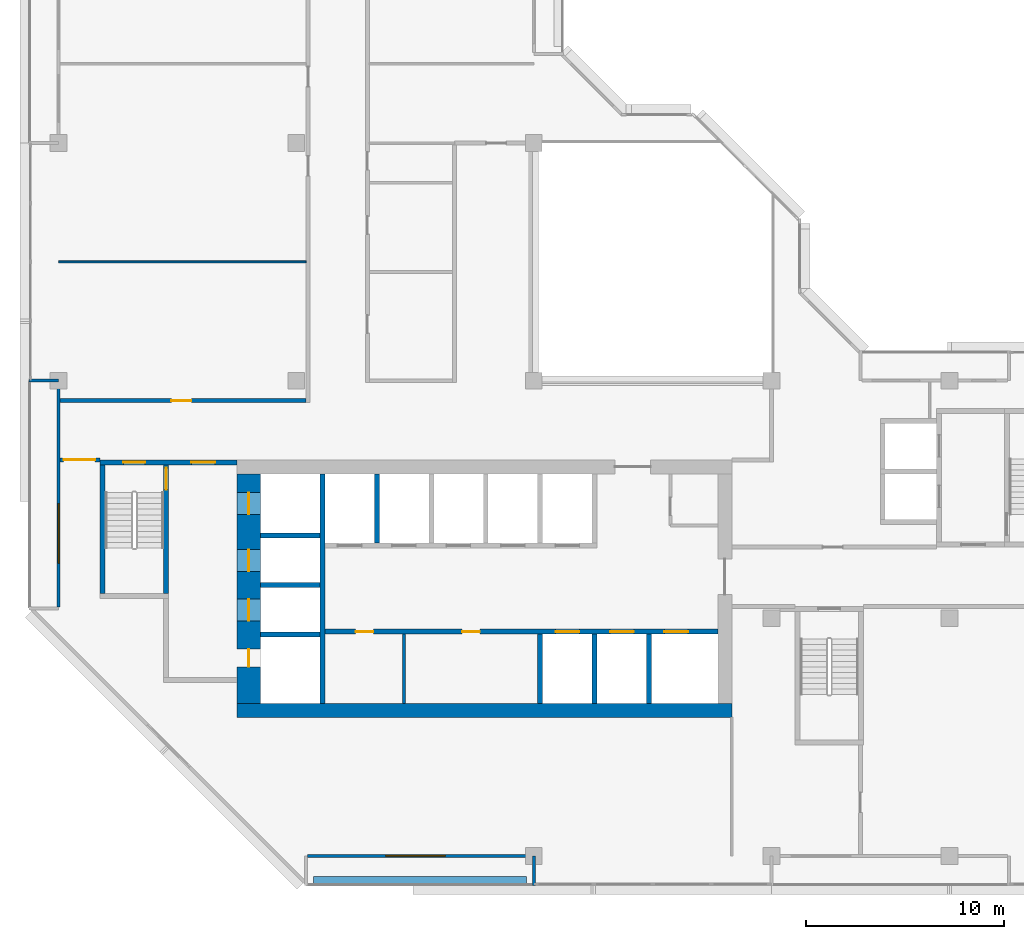
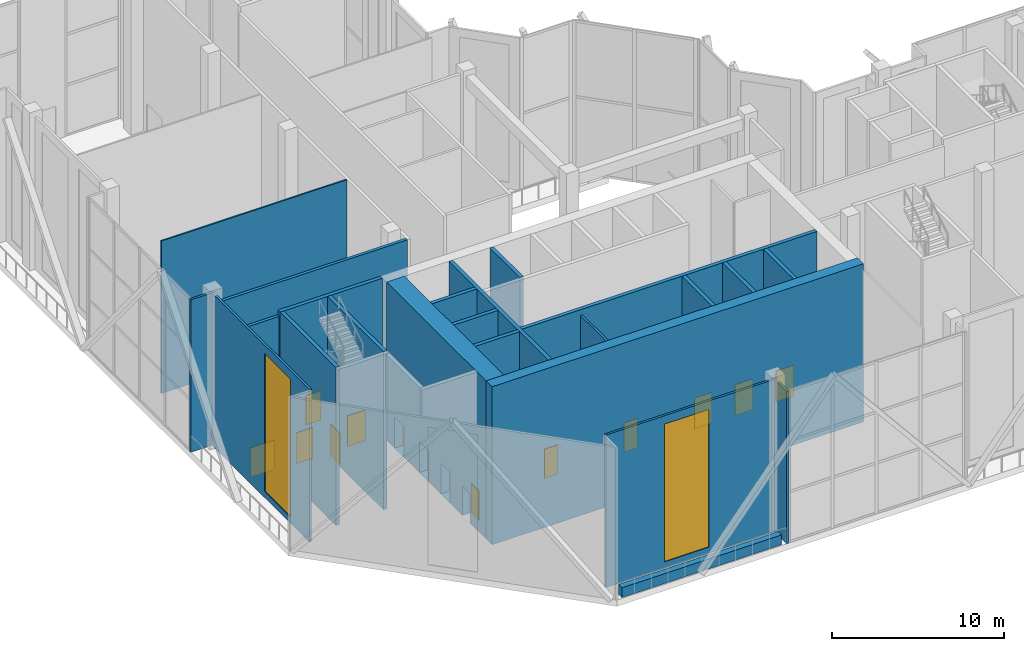
# One storey, part 10 of 18: 23 walls, 14 doors, 2 windows, 16 openings.
"""IFC4 building model written with IfcOpenShell, lengths in metres."""

import ifcopenshell
import ifcopenshell.guid

model = None  # the IFC model being written
_history = None  # IfcOwnerHistory: only IFC2X3 demands one
_inside = {}  # id of a spatial element -> (the spatial element, [elements in it])
_under = {}  # id of a project, library or spatial element -> (it, [spatial elements below it])
_declared = {}  # id of a project -> (the project, [libraries it declares])
_typed = {}  # id of a type object -> (the type object, [elements of that type])
_made_of = {}  # id of a material, layer set ... -> (it, [elements and type objects made of it])


def new_model(schema):
    """Start an empty IFC model of exactly this schema.

    Asked for "IFC4X3", IfcOpenShell would pick the latest addendum, in which some entities
    have other attributes; the version numbers below select the first issue.
    IFC2X3 requires an IfcOwnerHistory on every rooted entity: one is made here for all.
    """
    global model, _history
    if schema == "IFC4X3":
        model = ifcopenshell.file(schema_version=(4, 3, 0, 0))
    else:
        model = ifcopenshell.file(schema=schema)
    _inside.clear()
    _under.clear()
    _declared.clear()
    _typed.clear()
    _made_of.clear()
    _history = None
    if model.schema == "IFC2X3":
        org = make("IfcOrganization", Name="unknown")
        user = make(
            "IfcPersonAndOrganization",
            ThePerson=make("IfcPerson", FamilyName="unknown"),
            TheOrganization=org,
        )
        app = make(
            "IfcApplication",
            ApplicationDeveloper=org,
            Version="unknown",
            ApplicationFullName="unknown",
            ApplicationIdentifier="unknown",
        )
        _history = make(
            "IfcOwnerHistory",
            OwningUser=user,
            OwningApplication=app,
            ChangeAction="ADDED",
            CreationDate=0,
        )
    return model


def make(cls, **values):
    """One entity of the class cls with the attributes given. An attribute that is None is left unset."""
    return model.create_entity(
        cls, **{name: value for name, value in values.items() if value is not None}
    )


def rooted(cls, **values):
    """An entity with a GlobalId (a new one), such as an element, a storey or a relation."""
    return make(cls, GlobalId=ifcopenshell.guid.new(), OwnerHistory=_history, **values)


def si_unit(unit_type, name, prefix=None):
    """IfcSIUnit, for example si_unit("LENGTHUNIT", "METRE", prefix="MILLI")."""
    return make("IfcSIUnit", UnitType=unit_type, Prefix=prefix, Name=name)


def assignment(units):
    """IfcUnitAssignment: the units of a project."""
    return None if units is None else make("IfcUnitAssignment", Units=units)


def point(xyz):
    """IfcCartesianPoint."""
    return None if xyz is None else make("IfcCartesianPoint", Coordinates=xyz)


def direction(xyz):
    """IfcDirection."""
    return None if xyz is None else make("IfcDirection", DirectionRatios=xyz)


def frame(location, z_axis=None, x_axis=None):
    """IfcAxis2Placement3D, a coordinate frame: its origin and axes. An axis left out is left unset."""
    return make(
        "IfcAxis2Placement3D",
        Location=point(location),
        Axis=direction(z_axis),
        RefDirection=direction(x_axis),
    )


def frame_2d(location, x_axis=None):
    """IfcAxis2Placement2D, a coordinate frame in the plane: its origin and x axis."""
    return make(
        "IfcAxis2Placement2D", Location=point(location), RefDirection=direction(x_axis)
    )


def origin():
    """The frame at (0, 0, 0) with its axes left unset."""
    return frame((0.0, 0.0, 0.0))


def place(relative_to, where):
    """IfcLocalPlacement: puts the frame where relative to a parent placement (None: the world)."""
    return make(
        "IfcLocalPlacement", PlacementRelTo=relative_to, RelativePlacement=where
    )


def context(
    kind, dimensions, precision=None, world=None, true_north=None, identifier=None
):
    """IfcGeometricRepresentationContext, for example the 3D "Model" context."""
    return make(
        "IfcGeometricRepresentationContext",
        ContextIdentifier=identifier,
        ContextType=kind,
        CoordinateSpaceDimension=dimensions,
        Precision=precision,
        WorldCoordinateSystem=world,
        TrueNorth=true_north,
    )


def subcontext(parent, identifier, kind, view, scale=None):
    """IfcGeometricRepresentationSubContext, for example "Body" below "Model"."""
    return make(
        "IfcGeometricRepresentationSubContext",
        ContextIdentifier=identifier,
        ContextType=kind,
        ParentContext=parent,
        TargetScale=scale,
        TargetView=view,
    )


def project(units=None, contexts=None):
    """IfcProject with its units and contexts."""
    return rooted(
        "IfcProject",
        Name="project",
        RepresentationContexts=contexts,
        UnitsInContext=assignment(units),
    )


def spatial(cls, under=None, at=None, **own):
    """A site, building, storey or space (cls), placed at a placement, below another one or the project."""
    s = rooted(cls, ObjectPlacement=at, **own)
    if under is not None:
        _under.setdefault(under.id(), (under, []))[1].append(s)
    return s


def profile(cls, at=None, kind="AREA", **sizes):
    """A parametric profile (cls). Its sizes go by their IFC names, for example OverallWidth=200.0."""
    return make(cls, ProfileType=kind, Position=at, **sizes)


def rectangle(**sizes):
    """IfcRectangleProfileDef."""
    return profile("IfcRectangleProfileDef", **sizes)


def extrude(swept, where, along, depth):
    """IfcExtrudedAreaSolid: the profile swept, set in the frame where, extruded along a direction by depth."""
    return make(
        "IfcExtrudedAreaSolid",
        SweptArea=swept,
        Position=where,
        ExtrudedDirection=direction(along),
        Depth=depth,
    )


def shape(context_of_items, identifier, shape_type, items):
    """IfcShapeRepresentation: the items that make up one representation, for example the "Body"."""
    return make(
        "IfcShapeRepresentation",
        ContextOfItems=context_of_items,
        RepresentationIdentifier=identifier,
        RepresentationType=shape_type,
        Items=items,
    )


def material(Name=None, Category=None):
    """IfcMaterial."""
    return make("IfcMaterial", Name=Name, Category=Category)


def layer(
    of_material, thickness, ventilated=None, Name=None, Category=None, Priority=None
):
    """IfcMaterialLayer: one layer of a wall or slab, of a material (None: an air gap)."""
    return make(
        "IfcMaterialLayer",
        Material=of_material,
        LayerThickness=thickness,
        IsVentilated=ventilated,
        Name=Name,
        Category=Category,
        Priority=Priority,
    )


def layer_set(layers, Name=None):
    """IfcMaterialLayerSet."""
    return make("IfcMaterialLayerSet", MaterialLayers=layers, LayerSetName=Name)


def made_of(thing, what):
    """Note that an element or type object is made of a material, layer set ...; save() writes the relation."""
    if what is not None:
        _made_of.setdefault(what.id(), (what, []))[1].append(thing)
    return thing


def type_object(cls, material=None, **own):
    """A type object (cls), such as IfcWallType, which elements share."""
    return made_of(rooted(cls, **own), material)


def element(
    cls,
    number,
    at=None,
    inside=None,
    cuts=None,
    type_object=None,
    material=None,
    context=None,
    identifier="Body",
    shape_type=None,
    held_by="IfcProductDefinitionShape",
    body=None,
    shapes=None,
    **own,
):
    """One element of the class cls, such as IfcWall. Its Tag is "e" and its number.

    at: its placement. inside: the storey or other place that contains it. cuts: it is an
    opening in that element (IfcRelVoidsElement). A single representation is given by context,
    identifier, shape_type and body (its items); several are given by shapes. held_by: the class
    of the entity that holds the representations. save() writes the other relations.
    """
    e = rooted(cls, Tag="e%d" % number, ObjectPlacement=at, **own)
    if body is not None:
        shapes = [shape(context, identifier, shape_type, body)]
    if shapes is not None:
        e.Representation = make(held_by, Representations=shapes)
    if inside is not None:
        _inside.setdefault(inside.id(), (inside, []))[1].append(e)
    if cuts is not None:
        rooted(
            "IfcRelVoidsElement", RelatingBuildingElement=cuts, RelatedOpeningElement=e
        )
    if type_object is not None:
        _typed.setdefault(type_object.id(), (type_object, []))[1].append(e)
    return made_of(e, material)


def fill(opening, filler):
    """IfcRelFillsElement: the door or window that sits in an opening."""
    return rooted(
        "IfcRelFillsElement",
        RelatingOpeningElement=opening,
        RelatedBuildingElement=filler,
    )


def aggregate(whole, parts):
    """IfcRelAggregates: a whole, such as a stair, and the parts it consists of."""
    return rooted("IfcRelAggregates", RelatingObject=whole, RelatedObjects=parts)


def save(model, path):
    """Write the relations noted so far, then the file.

    IfcRelAggregates (storeys below a building ...), IfcRelContainedInSpatialStructure (elements
    in a storey), IfcRelDefinesByType, IfcRelAssociatesMaterial and IfcRelDeclares: one each for
    every whole, place, type object, material and project.
    """
    for whole, parts in _under.values():
        aggregate(whole, parts)
    for where, things in _inside.values():
        rooted(
            "IfcRelContainedInSpatialStructure",
            RelatedElements=things,
            RelatingStructure=where,
        )
    for kind, things in _typed.values():
        rooted("IfcRelDefinesByType", RelatedObjects=things, RelatingType=kind)
    for what, things in _made_of.values():
        rooted("IfcRelAssociatesMaterial", RelatedObjects=things, RelatingMaterial=what)
    for by, libraries in _declared.values():
        rooted("IfcRelDeclares", RelatingContext=by, RelatedDefinitions=libraries)
    model.write(path)


model = new_model("IFC4")

# Units and contexts
model_context = context("Model", 3, precision=1e-05, world=origin(), true_north=direction((0.0, 1.0)))
body_context = subcontext(model_context, "Body", "Model", "MODEL_VIEW")
ifc_project = project(units=[si_unit("LENGTHUNIT", "METRE"), si_unit("AREAUNIT", "SQUARE_METRE"), si_unit("VOLUMEUNIT", "CUBIC_METRE"), si_unit("PLANEANGLEUNIT", "RADIAN"), si_unit("MASSUNIT", "GRAM", prefix="KILO")], contexts=[model_context])

# Site, building, storey
site_placement = place(None, origin())
site = spatial("IfcSite", under=ifc_project, at=site_placement, CompositionType="ELEMENT")
building_placement = place(site_placement, origin())
building = spatial("IfcBuilding", under=site, at=building_placement, Name="Chenar Terraces", CompositionType="ELEMENT")
storey_placement = place(building_placement, frame((0.0, 0.0, 262.14990234375)))
storey = spatial("IfcBuildingStorey", under=building, at=storey_placement, Name="L62", CompositionType="ELEMENT", Elevation=262.14990234375)

# Wall
ifc_material_1 = material(Name="Gypsum board on steel studs", Category="steel")
ifc_layer_1 = layer(ifc_material_1, 0.14990234375)
ifc_layer_set_1 = layer_set([ifc_layer_1], Name="Gypsum board on steel studs")
wall_type_1 = type_object("IfcWallType", Name="Core partition 150 gypsum board", PredefinedType="PARTITIONING", material=ifc_layer_set_1)
wall_1_placement = place(storey_placement, frame((17.449951171875, 7.699951171875, 0.0), z_axis=(0.0, 0.0, 1.0), x_axis=(0.0, 1.0, 0.0)))
element("IfcWall", 1, at=wall_1_placement, inside=storey, type_object=wall_type_1, Name="Core partition CP1 freed bay wall", PredefinedType="PARTITIONING", context=body_context, shape_type="SweptSolid", body=[
    extrude(rectangle(XDim=3.5, YDim=0.14990234375, at=frame_2d((1.75, 0.0))), origin(), (0.0, 0.0, 1.0), 10.85009765625),
])

# Wall, openings, doors
ifc_material_2 = material(Name="Concrete C60/75", Category="concrete")
ifc_layer_2 = layer(ifc_material_2, 1.199951171875)
ifc_layer_set_2 = layer_set([ifc_layer_2], Name="Concrete C60/75")
wall_type_2 = type_object("IfcWallType", Name="Core wall 1200 Concrete C60/75", PredefinedType="SHEAR", material=ifc_layer_set_2)
wall_2_placement = place(storey_placement, frame((9.60009765625, 7.699951171875, 0.0), z_axis=(0.0, 0.0, 1.0), x_axis=(0.0, 1.0, 0.0)))
wall_2 = element("IfcWall", 2, at=wall_2_placement, inside=storey, type_object=wall_type_2, Name="Core wall W L62", PredefinedType="SHEAR", context=body_context, shape_type="SweptSolid", body=[
    extrude(rectangle(XDim=11.60009765625, YDim=1.199951171875, at=frame_2d((5.800048828125, 0.0))), origin(), (0.0, 0.0, 1.0), 11.25),
])
opening_1_placement = place(wall_2_placement, frame((4.175048828125, 0.0, 0.0)))
opening_1 = element("IfcOpeningElement", 3, at=opening_1_placement, cuts=wall_2, Name="Opening DL62-LD9", PredefinedType="OPENING", context=body_context, shape_type="SweptSolid", body=[
    extrude(rectangle(XDim=1.10009765625, YDim=2.199951171875, at=frame_2d((0.550048828125, 1.10009765625))), frame((0.0, 0.60986328125, 0.0), z_axis=(0.0, -1.0, 0.0), x_axis=(1.0, 0.0, 0.0)), (0.0, 0.0, 1.0), 1.219970703125),
])
opening_2_placement = place(wall_2_placement, frame((6.675048828125, 0.0, 0.0)))
opening_2 = element("IfcOpeningElement", 4, at=opening_2_placement, cuts=wall_2, Name="Opening DL62-LD10", PredefinedType="OPENING", context=body_context, shape_type="SweptSolid", body=[
    extrude(rectangle(XDim=1.10009765625, YDim=2.199951171875, at=frame_2d((0.550048828125, 1.10009765625))), frame((0.0, 0.60986328125, 0.0), z_axis=(0.0, -1.0, 0.0), x_axis=(1.0, 0.0, 0.0)), (0.0, 0.0, 1.0), 1.219970703125),
])
opening_3_placement = place(wall_2_placement, frame((9.550048828125, 0.0, 0.0)))
opening_3 = element("IfcOpeningElement", 5, at=opening_3_placement, cuts=wall_2, Name="Opening DL62-LD11", PredefinedType="OPENING", context=body_context, shape_type="SweptSolid", body=[
    extrude(rectangle(XDim=1.10009765625, YDim=2.199951171875, at=frame_2d((0.550048828125, 1.10009765625))), frame((0.0, 0.60986328125, 0.0), z_axis=(0.0, -1.0, 0.0), x_axis=(1.0, 0.0, 0.0)), (0.0, 0.0, 1.0), 1.219970703125),
])
opening_4_placement = place(wall_2_placement, frame((1.85009765625, 0.0, 0.0)))
opening_4 = element("IfcOpeningElement", 6, at=opening_4_placement, cuts=wall_2, Name="Opening DL62-C4", PredefinedType="OPENING", context=body_context, shape_type="SweptSolid", body=[
    extrude(rectangle(XDim=0.89990234375, YDim=2.10009765625, at=frame_2d((0.449951171875, 1.050048828125))), frame((0.0, 0.60986328125, 0.0), z_axis=(0.0, -1.0, 0.0), x_axis=(1.0, 0.0, 0.0)), (0.0, 0.0, 1.0), 1.219970703125),
])
ifc_material_3 = material(Name="Stainless steel", Category="steel")
door_type_1 = type_object("IfcDoorType", Name="Lift landing door 1100 x 2200 sliding", OperationType="DOUBLE_DOOR_SLIDING", PredefinedType="DOOR", material=ifc_material_3)
door_1_placement = place(opening_1_placement, origin())
door_1 = element("IfcDoor", 7, at=door_1_placement, inside=storey, type_object=door_type_1, Name="Landing door S1", OperationType="DOUBLE_DOOR_SLIDING", OverallHeight=2.199951171875, OverallWidth=1.10009765625, PredefinedType="DOOR", context=body_context, shape_type="SweptSolid", body=[
    extrude(rectangle(XDim=1.10009765625, YDim=2.199951171875, at=frame_2d((0.550048828125, 1.10009765625))), frame((0.0, 0.02490234375, 0.0), z_axis=(0.0, -1.0, 0.0), x_axis=(1.0, 0.0, 0.0)), (0.0, 0.0, 1.0), 0.050048828125),
])
fill(opening_1, door_1)
door_2_placement = place(opening_2_placement, origin())
door_2 = element("IfcDoor", 8, at=door_2_placement, inside=storey, type_object=door_type_1, Name="Landing door F1", OperationType="DOUBLE_DOOR_SLIDING", OverallHeight=2.199951171875, OverallWidth=1.10009765625, PredefinedType="DOOR", context=body_context, shape_type="SweptSolid", body=[
    extrude(rectangle(XDim=1.10009765625, YDim=2.199951171875, at=frame_2d((0.550048828125, 1.10009765625))), frame((0.0, 0.02490234375, 0.0), z_axis=(0.0, -1.0, 0.0), x_axis=(1.0, 0.0, 0.0)), (0.0, 0.0, 1.0), 0.050048828125),
])
fill(opening_2, door_2)
door_3_placement = place(opening_3_placement, origin())
door_3 = element("IfcDoor", 9, at=door_3_placement, inside=storey, type_object=door_type_1, Name="Landing door F2", OperationType="DOUBLE_DOOR_SLIDING", OverallHeight=2.199951171875, OverallWidth=1.10009765625, PredefinedType="DOOR", context=body_context, shape_type="SweptSolid", body=[
    extrude(rectangle(XDim=1.10009765625, YDim=2.199951171875, at=frame_2d((0.550048828125, 1.10009765625))), frame((0.0, 0.02490234375, 0.0), z_axis=(0.0, -1.0, 0.0), x_axis=(1.0, 0.0, 0.0)), (0.0, 0.0, 1.0), 0.050048828125),
])
fill(opening_3, door_3)
ifc_material_4 = material(Name="Steel-framed fire-resisting door leaf", Category="steel")
door_type_2 = type_object("IfcDoorType", Name="Riser fire door FD60 900 x 2100", OperationType="SINGLE_SWING_LEFT", PredefinedType="DOOR", material=ifc_material_4)
door_4_placement = place(opening_4_placement, frame((0.89990234375, 0.0, 0.0), z_axis=(0.0, 0.0, 1.0), x_axis=(-1.0, 0.0, 0.0)))
door_4 = element("IfcDoor", 10, at=door_4_placement, inside=storey, type_object=door_type_2, Name="Riser door DL62-C4", OperationType="SINGLE_SWING_LEFT", OverallHeight=2.10009765625, OverallWidth=0.89990234375, PredefinedType="DOOR", context=body_context, shape_type="SweptSolid", body=[
    extrude(rectangle(XDim=0.89990234375, YDim=2.10009765625, at=frame_2d((0.449951171875, 1.050048828125))), frame((0.0, 0.02490234375, 0.0), z_axis=(0.0, -1.0, 0.0), x_axis=(1.0, 0.0, 0.0)), (0.0, 0.0, 1.0), 0.050048828125),
])
fill(opening_4, door_4)

# Wall
ifc_material_5 = material(Name="Concrete C60/75", Category="concrete")
ifc_layer_3 = layer(ifc_material_5, 0.25)
ifc_layer_set_3 = layer_set([ifc_layer_3], Name="Concrete C60/75")
wall_type_3 = type_object("IfcWallType", Name="Core wall 250 Concrete C60/75", PredefinedType="SHEAR", material=ifc_layer_set_3)
wall_3_placement = place(storey_placement, frame((13.324951171875, 7.699951171875, 0.0), z_axis=(0.0, 0.0, 1.0), x_axis=(0.0, 1.0, 0.0)))
element("IfcWall", 11, at=wall_3_placement, inside=storey, type_object=wall_type_3, Name="Core wall WI L62", PredefinedType="SHEAR", context=body_context, shape_type="SweptSolid", body=[
    extrude(rectangle(XDim=11.60009765625, YDim=0.25, at=frame_2d((5.800048828125, 0.0))), origin(), (0.0, 0.0, 1.0), 11.25),
])

# Wall, openings, doors
wall_4_placement = place(storey_placement, frame((13.449951171875, 11.324951171875, 0.0), z_axis=(0.0, 0.0, 1.0), x_axis=(1.0, 0.0, 0.0)))
wall_4 = element("IfcWall", 12, at=wall_4_placement, inside=storey, type_object=wall_type_3, Name="Core wall SF L62", PredefinedType="SHEAR", context=body_context, shape_type="SweptSolid", body=[
    extrude(rectangle(XDim=19.85009765625, YDim=0.25, at=frame_2d((9.925048828125, 0.0))), origin(), (0.0, 0.0, 1.0), 11.25),
])
opening_5_placement = place(wall_4_placement, frame((11.64990234375, 0.0, 0.0)))
opening_5 = element("IfcOpeningElement", 13, at=opening_5_placement, cuts=wall_4, Name="Opening DL62-LD1", PredefinedType="OPENING", context=body_context, shape_type="SweptSolid", body=[
    extrude(rectangle(XDim=1.199951171875, YDim=2.199951171875, at=frame_2d((0.60009765625, 1.10009765625))), frame((0.0, 0.135009765625, 0.0), z_axis=(0.0, -1.0, 0.0), x_axis=(1.0, 0.0, 0.0)), (0.0, 0.0, 1.0), 0.27001953125),
])
opening_6_placement = place(wall_4_placement, frame((14.39990234375, 0.0, 0.0)))
opening_6 = element("IfcOpeningElement", 14, at=opening_6_placement, cuts=wall_4, Name="Opening DL62-LD2", PredefinedType="OPENING", context=body_context, shape_type="SweptSolid", body=[
    extrude(rectangle(XDim=1.199951171875, YDim=2.199951171875, at=frame_2d((0.60009765625, 1.10009765625))), frame((0.0, 0.135009765625, 0.0), z_axis=(0.0, -1.0, 0.0), x_axis=(1.0, 0.0, 0.0)), (0.0, 0.0, 1.0), 0.27001953125),
])
opening_7_placement = place(wall_4_placement, frame((17.14990234375, 0.0, 0.0)))
opening_7 = element("IfcOpeningElement", 15, at=opening_7_placement, cuts=wall_4, Name="Opening DL62-LD3", PredefinedType="OPENING", context=body_context, shape_type="SweptSolid", body=[
    extrude(rectangle(XDim=1.199951171875, YDim=2.199951171875, at=frame_2d((0.60009765625, 1.10009765625))), frame((0.0, 0.135009765625, 0.0), z_axis=(0.0, -1.0, 0.0), x_axis=(1.0, 0.0, 0.0)), (0.0, 0.0, 1.0), 0.27001953125),
])
opening_8_placement = place(wall_4_placement, frame((1.550048828125, 0.0, 0.0)))
opening_8 = element("IfcOpeningElement", 16, at=opening_8_placement, cuts=wall_4, Name="Opening DL62-C12", PredefinedType="OPENING", context=body_context, shape_type="SweptSolid", body=[
    extrude(rectangle(XDim=0.89990234375, YDim=2.10009765625, at=frame_2d((0.449951171875, 1.050048828125))), frame((0.0, 0.135009765625, 0.0), z_axis=(0.0, -1.0, 0.0), x_axis=(1.0, 0.0, 0.0)), (0.0, 0.0, 1.0), 0.27001953125),
])
opening_9_placement = place(wall_4_placement, frame((6.925048828125, 0.0, 0.0)))
opening_9 = element("IfcOpeningElement", 17, at=opening_9_placement, cuts=wall_4, Name="Opening DL62-C13", PredefinedType="OPENING", context=body_context, shape_type="SweptSolid", body=[
    extrude(rectangle(XDim=0.89990234375, YDim=2.10009765625, at=frame_2d((0.449951171875, 1.050048828125))), frame((0.0, 0.135009765625, 0.0), z_axis=(0.0, -1.0, 0.0), x_axis=(1.0, 0.0, 0.0)), (0.0, 0.0, 1.0), 0.27001953125),
])
ifc_material_6 = material(Name="Stainless steel", Category="steel")
door_type_3 = type_object("IfcDoorType", Name="Lift landing door 1200 x 2200 sliding", OperationType="DOUBLE_DOOR_SLIDING", PredefinedType="DOOR", material=ifc_material_6)
door_5_placement = place(opening_5_placement, origin())
door_5 = element("IfcDoor", 18, at=door_5_placement, inside=storey, type_object=door_type_3, Name="Landing door M1", OperationType="DOUBLE_DOOR_SLIDING", OverallHeight=2.199951171875, OverallWidth=1.199951171875, PredefinedType="DOOR", context=body_context, shape_type="SweptSolid", body=[
    extrude(rectangle(XDim=1.199951171875, YDim=2.199951171875, at=frame_2d((0.60009765625, 1.10009765625))), frame((0.0, 0.02490234375, 0.0), z_axis=(0.0, -1.0, 0.0), x_axis=(1.0, 0.0, 0.0)), (0.0, 0.0, 1.0), 0.050048828125),
])
fill(opening_5, door_5)
door_6_placement = place(opening_6_placement, origin())
door_6 = element("IfcDoor", 19, at=door_6_placement, inside=storey, type_object=door_type_3, Name="Landing door M2", OperationType="DOUBLE_DOOR_SLIDING", OverallHeight=2.199951171875, OverallWidth=1.199951171875, PredefinedType="DOOR", context=body_context, shape_type="SweptSolid", body=[
    extrude(rectangle(XDim=1.199951171875, YDim=2.199951171875, at=frame_2d((0.60009765625, 1.10009765625))), frame((0.0, 0.02490234375, 0.0), z_axis=(0.0, -1.0, 0.0), x_axis=(1.0, 0.0, 0.0)), (0.0, 0.0, 1.0), 0.050048828125),
])
fill(opening_6, door_6)
door_7_placement = place(opening_7_placement, origin())
door_7 = element("IfcDoor", 20, at=door_7_placement, inside=storey, type_object=door_type_3, Name="Landing door M3", OperationType="DOUBLE_DOOR_SLIDING", OverallHeight=2.199951171875, OverallWidth=1.199951171875, PredefinedType="DOOR", context=body_context, shape_type="SweptSolid", body=[
    extrude(rectangle(XDim=1.199951171875, YDim=2.199951171875, at=frame_2d((0.60009765625, 1.10009765625))), frame((0.0, 0.02490234375, 0.0), z_axis=(0.0, -1.0, 0.0), x_axis=(1.0, 0.0, 0.0)), (0.0, 0.0, 1.0), 0.050048828125),
])
fill(opening_7, door_7)
door_8_placement = place(opening_8_placement, frame((0.89990234375, 0.0, 0.0), z_axis=(0.0, 0.0, 1.0), x_axis=(-1.0, 0.0, 0.0)))
door_8 = element("IfcDoor", 21, at=door_8_placement, inside=storey, type_object=door_type_2, Name="Core room door DL62-C12", OperationType="SINGLE_SWING_LEFT", OverallHeight=2.10009765625, OverallWidth=0.89990234375, PredefinedType="DOOR", context=body_context, shape_type="SweptSolid", body=[
    extrude(rectangle(XDim=0.89990234375, YDim=2.10009765625, at=frame_2d((0.449951171875, 1.050048828125))), frame((0.0, 0.02490234375, 0.0), z_axis=(0.0, -1.0, 0.0), x_axis=(1.0, 0.0, 0.0)), (0.0, 0.0, 1.0), 0.050048828125),
])
fill(opening_8, door_8)
door_9_placement = place(opening_9_placement, frame((0.89990234375, 0.0, 0.0), z_axis=(0.0, 0.0, 1.0), x_axis=(-1.0, 0.0, 0.0)))
door_9 = element("IfcDoor", 22, at=door_9_placement, inside=storey, type_object=door_type_2, Name="Core room door DL62-C13", OperationType="SINGLE_SWING_RIGHT", OverallHeight=2.10009765625, OverallWidth=0.89990234375, PredefinedType="DOOR", context=body_context, shape_type="SweptSolid", body=[
    extrude(rectangle(XDim=0.89990234375, YDim=2.10009765625, at=frame_2d((0.449951171875, 1.050048828125))), frame((0.0, 0.02490234375, 0.0), z_axis=(0.0, -1.0, 0.0), x_axis=(1.0, 0.0, 0.0)), (0.0, 0.0, 1.0), 0.050048828125),
])
fill(opening_9, door_9)

# Walls
for number, where, z_axis, x_axis, name in (
    (23, (10.199951171875, 11.175048828125, 0.0), (0.0, 0.0, 1.0), (1.0, 0.0, 0.0), "Core wall HW0 L62"),
    (24, (10.199951171875, 13.675048828125, 0.0), (0.0, 0.0, 1.0), (1.0, 0.0, 0.0), "Core wall HW1 L62"),
    (25, (10.199951171875, 16.175048828125, 0.0), (0.0, 0.0, 1.0), (1.0, 0.0, 0.0), "Core wall HW2 L62"),
):
    element("IfcWall", number, at=place(storey_placement, frame(where, z_axis=z_axis, x_axis=x_axis)), inside=storey, type_object=wall_type_3, Name=name, PredefinedType="SHEAR", context=body_context, shape_type="SweptSolid", body=[
        extrude(rectangle(XDim=3.0, YDim=0.25, at=frame_2d((1.5, 0.0))), origin(), (0.0, 0.0, 1.0), 11.25),
    ])
for number, where, z_axis, x_axis, name in (
    (26, (24.324951171875, 7.699951171875, 0.0), (0.0, 0.0, 1.0), (0.0, 1.0, 0.0), "Core wall SS3 L62"),
    (27, (27.074951171875, 7.699951171875, 0.0), (0.0, 0.0, 1.0), (0.0, 1.0, 0.0), "Core wall SS4 L62"),
    (28, (29.824951171875, 7.699951171875, 0.0), (0.0, 0.0, 1.0), (0.0, 1.0, 0.0), "Core wall SS5 L62"),
    (29, (16.074951171875, 15.800048828125, 0.0), (0.0, 0.0, 1.0), (0.0, 1.0, 0.0), "Core wall NS0 L62"),
):
    element("IfcWall", number, at=place(storey_placement, frame(where, z_axis=z_axis, x_axis=x_axis)), inside=storey, type_object=wall_type_3, Name=name, PredefinedType="SHEAR", context=body_context, shape_type="SweptSolid", body=[
        extrude(rectangle(XDim=3.5, YDim=0.25, at=frame_2d((1.75, 0.0))), origin(), (0.0, 0.0, 1.0), 11.25),
    ])

# Wall, openings, doors
wall_5_placement = place(storey_placement, frame((2.10009765625, 19.875, 0.0), z_axis=(0.0, 0.0, 1.0), x_axis=(1.0, 0.0, 0.0)))
wall_5 = element("IfcWall", 30, at=wall_5_placement, inside=storey, type_object=wall_type_3, Name="Core wall A_N L62", PredefinedType="SHEAR", context=body_context, shape_type="SweptSolid", body=[
    extrude(rectangle(XDim=6.89990234375, YDim=0.25, at=frame_2d((3.449951171875, 0.0))), origin(), (0.0, 0.0, 1.0), 11.25),
])
opening_10_placement = place(wall_5_placement, frame((1.175048828125, 0.0, 0.0)))
opening_10 = element("IfcOpeningElement", 31, at=opening_10_placement, cuts=wall_5, Name="Opening DL62-C5", PredefinedType="OPENING", context=body_context, shape_type="SweptSolid", body=[
    extrude(rectangle(XDim=1.10009765625, YDim=2.199951171875, at=frame_2d((0.550048828125, 1.10009765625))), frame((0.0, 0.135009765625, 0.0), z_axis=(0.0, -1.0, 0.0), x_axis=(1.0, 0.0, 0.0)), (0.0, 0.0, 1.0), 0.27001953125),
])
opening_11_placement = place(wall_5_placement, frame((4.60009765625, 0.0, 0.0)))
opening_11 = element("IfcOpeningElement", 32, at=opening_11_placement, cuts=wall_5, Name="Opening DL62-C6", PredefinedType="OPENING", context=body_context, shape_type="SweptSolid", body=[
    extrude(rectangle(XDim=1.199951171875, YDim=2.199951171875, at=frame_2d((0.60009765625, 1.10009765625))), frame((0.0, 0.135009765625, 0.0), z_axis=(0.0, -1.0, 0.0), x_axis=(1.0, 0.0, 0.0)), (0.0, 0.0, 1.0), 0.27001953125),
])
ifc_material_7 = material(Name="Steel-framed fire-resisting door leaf", Category="steel")
door_type_4 = type_object("IfcDoorType", Name="Lobby fire door FD60 1200 x 2200", OperationType="SINGLE_SWING_LEFT", PredefinedType="DOOR", material=ifc_material_7)
door_10_placement = place(opening_11_placement, frame((1.199951171875, 0.0, 0.0), z_axis=(0.0, 0.0, 1.0), x_axis=(-1.0, 0.0, 0.0)))
door_10 = element("IfcDoor", 33, at=door_10_placement, inside=storey, type_object=door_type_4, Name="Core door DL62-C6", OperationType="SINGLE_SWING_LEFT", OverallHeight=2.199951171875, OverallWidth=1.199951171875, PredefinedType="DOOR", context=body_context, shape_type="SweptSolid", body=[
    extrude(rectangle(XDim=1.199951171875, YDim=2.199951171875, at=frame_2d((0.60009765625, 1.10009765625))), frame((0.0, 0.02490234375, 0.0), z_axis=(0.0, -1.0, 0.0), x_axis=(1.0, 0.0, 0.0)), (0.0, 0.0, 1.0), 0.050048828125),
])
fill(opening_11, door_10)
ifc_material_8 = material(Name="Steel-framed fire-resisting door leaf", Category="steel")
door_type_5 = type_object("IfcDoorType", Name="Stair fire door FD60 1100 x 2200", OperationType="SINGLE_SWING_LEFT", PredefinedType="DOOR", material=ifc_material_8)
door_11_placement = place(opening_10_placement, origin())
door_11 = element("IfcDoor", 34, at=door_11_placement, inside=storey, type_object=door_type_5, Name="Stair door DL62-C5", OperationType="SINGLE_SWING_LEFT", OverallHeight=2.199951171875, OverallWidth=1.10009765625, PredefinedType="DOOR", context=body_context, shape_type="SweptSolid", body=[
    extrude(rectangle(XDim=1.10009765625, YDim=2.199951171875, at=frame_2d((0.550048828125, 1.10009765625))), frame((0.0, 0.02490234375, 0.0), z_axis=(0.0, -1.0, 0.0), x_axis=(1.0, 0.0, 0.0)), (0.0, 0.0, 1.0), 0.050048828125),
])
fill(opening_10, door_11)

# Wall
wall_6_placement = place(storey_placement, frame((2.22509765625, 13.25, 0.0), z_axis=(0.0, 0.0, 1.0), x_axis=(0.0, 1.0, 0.0)))
element("IfcWall", 35, at=wall_6_placement, inside=storey, type_object=wall_type_3, Name="Core wall ST1_W L62", PredefinedType="SHEAR", context=body_context, shape_type="SweptSolid", body=[
    extrude(rectangle(XDim=6.5, YDim=0.25, at=frame_2d((3.25, 0.0))), origin(), (0.0, 0.0, 1.0), 11.25),
])

# Wall, opening, door
wall_7_placement = place(storey_placement, frame((5.425048828125, 13.25, 0.0), z_axis=(0.0, 0.0, 1.0), x_axis=(0.0, 1.0, 0.0)))
wall_7 = element("IfcWall", 36, at=wall_7_placement, inside=storey, type_object=wall_type_3, Name="Core wall ST1_E L62", PredefinedType="SHEAR", context=body_context, shape_type="SweptSolid", body=[
    extrude(rectangle(XDim=6.5, YDim=0.25, at=frame_2d((3.25, 0.0))), origin(), (0.0, 0.0, 1.0), 11.25),
])
opening_12_placement = place(wall_7_placement, frame((5.25, 0.0, 0.0)))
opening_12 = element("IfcOpeningElement", 37, at=opening_12_placement, cuts=wall_7, Name="Opening DL62-C3", PredefinedType="OPENING", context=body_context, shape_type="SweptSolid", body=[
    extrude(rectangle(XDim=1.10009765625, YDim=2.199951171875, at=frame_2d((0.550048828125, 1.10009765625))), frame((0.0, 0.135009765625, 0.0), z_axis=(0.0, -1.0, 0.0), x_axis=(1.0, 0.0, 0.0)), (0.0, 0.0, 1.0), 0.27001953125),
])
door_12_placement = place(opening_12_placement, origin())
door_12 = element("IfcDoor", 38, at=door_12_placement, inside=storey, type_object=door_type_5, Name="Stair door DL62-C3", OperationType="SINGLE_SWING_RIGHT", OverallHeight=2.199951171875, OverallWidth=1.10009765625, PredefinedType="DOOR", context=body_context, shape_type="SweptSolid", body=[
    extrude(rectangle(XDim=1.10009765625, YDim=2.199951171875, at=frame_2d((0.550048828125, 1.10009765625))), frame((0.0, 0.02490234375, 0.0), z_axis=(0.0, -1.0, 0.0), x_axis=(1.0, 0.0, 0.0)), (0.0, 0.0, 1.0), 0.050048828125),
])
fill(opening_12, door_12)

# Wall
ifc_material_9 = material(Name="Concrete C60/75", Category="concrete")
ifc_layer_4 = layer(ifc_material_9, 0.699951171875)
ifc_layer_set_4 = layer_set([ifc_layer_4], Name="Concrete C60/75")
wall_type_4 = type_object("IfcWallType", Name="Core wall 700 Concrete C60/75", PredefinedType="SHEAR", material=ifc_layer_set_4)
wall_8_placement = place(storey_placement, frame((9.0, 7.35009765625, 0.0), z_axis=(0.0, 0.0, 1.0), x_axis=(1.0, 0.0, 0.0)))
element("IfcWall", 39, at=wall_8_placement, inside=storey, type_object=wall_type_4, Name="Core wall S L62", PredefinedType="SHEAR", context=body_context, shape_type="SweptSolid", body=[
    extrude(rectangle(XDim=25.0, YDim=0.699951171875, at=frame_2d((12.5, 0.0))), origin(), (0.0, 0.0, 1.0), 11.25),
])

# Wall, opening, door
ifc_material_10 = material(Name="Gypsum board on steel studs with fire boards", Category="steel")
ifc_layer_5 = layer(ifc_material_10, 0.199951171875)
ifc_layer_set_5 = layer_set([ifc_layer_5], Name="Gypsum board on steel studs with fire boards")
wall_type_5 = type_object("IfcWallType", Name="Corridor wall 200", PredefinedType="PARTITIONING", material=ifc_layer_set_5)
wall_9_placement = place(storey_placement, frame((0.073974609375, 20.0, 0.0), z_axis=(0.0, 0.0, 1.0), x_axis=(1.0, 0.0, 0.0)))
wall_9 = element("IfcWall", 40, at=wall_9_placement, inside=storey, type_object=wall_type_5, Name="Partition L62-002", PredefinedType="PARTITIONING", context=body_context, shape_type="SweptSolid", body=[
    extrude(rectangle(XDim=2.026123046875, YDim=0.199951171875, at=frame_2d((1.01318359375, 0.0))), origin(), (0.0, 0.0, 1.0), 10.85009765625),
])
opening_13_placement = place(wall_9_placement, frame((0.176025390625, 0.0, 0.0)))
opening_13 = element("IfcOpeningElement", 41, at=opening_13_placement, cuts=wall_9, Name="Opening DL62-16", PredefinedType="OPENING", context=body_context, shape_type="SweptSolid", body=[
    extrude(rectangle(XDim=1.60009765625, YDim=2.10009765625, at=frame_2d((0.800048828125, 1.050048828125))), frame((0.0, 0.10986328125, 0.0), z_axis=(0.0, -1.0, 0.0), x_axis=(1.0, 0.0, 0.0)), (0.0, 0.0, 1.0), 0.219970703125),
])
ifc_material_11 = material(Name="Steel-framed fire-resisting door leaf", Category="steel")
door_type_6 = type_object("IfcDoorType", Name="Fire double door FD60 1600 x 2100", OperationType="DOUBLE_DOOR_SINGLE_SWING", PredefinedType="DOOR", material=ifc_material_11)
door_13_placement = place(opening_13_placement, origin())
door_13 = element("IfcDoor", 42, at=door_13_placement, inside=storey, type_object=door_type_6, Name="Door DL62-16", OperationType="DOUBLE_DOOR_SINGLE_SWING", OverallHeight=2.10009765625, OverallWidth=1.60009765625, PredefinedType="DOOR", context=body_context, shape_type="SweptSolid", body=[
    extrude(rectangle(XDim=1.60009765625, YDim=2.10009765625, at=frame_2d((0.800048828125, 1.050048828125))), frame((0.0, 0.02490234375, 0.0), z_axis=(0.0, -1.0, 0.0), x_axis=(1.0, 0.0, 0.0)), (0.0, 0.0, 1.0), 0.050048828125),
])
fill(opening_13, door_13)

wall_10_placement = place(storey_placement, frame((0.073974609375, 23.0, 0.0), z_axis=(0.0, 0.0, 1.0), x_axis=(1.0, 0.0, 0.0)))
wall_10 = element("IfcWall", 43, at=wall_10_placement, inside=storey, type_object=wall_type_5, Name="Partition L62-003", PredefinedType="PARTITIONING", context=body_context, shape_type="SweptSolid", body=[
    extrude(rectangle(XDim=12.426025390625, YDim=0.199951171875, at=frame_2d((6.212890625, 0.0))), origin(), (0.0, 0.0, 1.0), 10.85009765625),
])
opening_14_placement = place(wall_10_placement, frame((5.6259765625, 0.0, 0.0)))
opening_14 = element("IfcOpeningElement", 44, at=opening_14_placement, cuts=wall_10, Name="Opening DL62-11", PredefinedType="OPENING", context=body_context, shape_type="SweptSolid", body=[
    extrude(rectangle(XDim=1.0, YDim=2.10009765625, at=frame_2d((0.5, 1.050048828125))), frame((0.0, 0.10986328125, 0.0), z_axis=(0.0, -1.0, 0.0), x_axis=(1.0, 0.0, 0.0)), (0.0, 0.0, 1.0), 0.219970703125),
])
ifc_material_12 = material(Name="Steel-framed fire-resisting door leaf", Category="steel")
door_type_7 = type_object("IfcDoorType", Name="Fire door FD60 1000 x 2100", OperationType="SINGLE_SWING_LEFT", PredefinedType="DOOR", material=ifc_material_12)
door_14_placement = place(opening_14_placement, origin())
door_14 = element("IfcDoor", 45, at=door_14_placement, inside=storey, type_object=door_type_7, Name="Door DL62-11", OperationType="SINGLE_SWING_RIGHT", OverallHeight=2.10009765625, OverallWidth=1.0, PredefinedType="DOOR", context=body_context, shape_type="SweptSolid", body=[
    extrude(rectangle(XDim=1.0, YDim=2.10009765625, at=frame_2d((0.5, 1.050048828125))), frame((0.0, 0.02490234375, 0.0), z_axis=(0.0, -1.0, 0.0), x_axis=(1.0, 0.0, 0.0)), (0.0, 0.0, 1.0), 0.050048828125),
])
fill(opening_14, door_14)

# Wall, opening, window
ifc_material_13 = material(Name="Aluminium framed glazing", Category="aluminium")
ifc_layer_6 = layer(ifc_material_13, 0.14990234375)
ifc_layer_set_6 = layer_set([ifc_layer_6], Name="Aluminium framed glazing")
wall_type_6 = type_object("IfcWallType", Name="Glazed loggia back wall 150", PredefinedType="SOLIDWALL", material=ifc_layer_set_6)
wall_11_placement = place(storey_placement, frame((0.0, 23.925048828125, 0.0), z_axis=(0.0, 0.0, 1.0), x_axis=(0.0, -1.0, 0.0)))
wall_11 = element("IfcWall", 46, at=wall_11_placement, inside=storey, type_object=wall_type_6, Name="Glazed loggia back wall", PredefinedType="SOLIDWALL", context=body_context, shape_type="SweptSolid", body=[
    extrude(rectangle(XDim=11.35009765625, YDim=0.14990234375, at=frame_2d((5.675048828125, 0.0))), origin(), (0.0, 0.0, 1.0), 10.85009765625),
])
opening_15_placement = place(wall_11_placement, frame((6.137451171875, 0.0, 0.449951171875)))
opening_15 = element("IfcOpeningElement", 47, at=opening_15_placement, cuts=wall_11, Name="Opening W300x980", PredefinedType="OPENING", context=body_context, shape_type="SweptSolid", body=[
    extrude(rectangle(XDim=3.0, YDim=9.800048828125, at=frame_2d((1.5, 4.89990234375))), frame((0.0, 0.0849609375, 0.0), z_axis=(0.0, -1.0, 0.0), x_axis=(1.0, 0.0, 0.0)), (0.0, 0.0, 1.0), 0.169921875),
])
ifc_material_14 = material(Name="Low emissivity double glazing, aluminium frame", Category="aluminium")
window_type = type_object("IfcWindowType", Name="Fixed light 3000 x 9800", PartitioningType="SINGLE_PANEL", PredefinedType="WINDOW", material=ifc_material_14)
window_1_placement = place(opening_15_placement, origin())
window_1 = element("IfcWindow", 48, at=window_1_placement, inside=storey, type_object=window_type, Name="Window", OverallHeight=9.800048828125, OverallWidth=3.0, PartitioningType="SINGLE_PANEL", PredefinedType="WINDOW", context=body_context, shape_type="SweptSolid", body=[
    extrude(rectangle(XDim=3.0, YDim=9.800048828125, at=frame_2d((1.5, 4.89990234375))), frame((0.0, 0.030029296875, 0.0), z_axis=(0.0, -1.0, 0.0), x_axis=(1.0, 0.0, 0.0)), (0.0, 0.0, 1.0), 0.06005859375),
])
fill(opening_15, window_1)

wall_12_placement = place(storey_placement, frame((12.574951171875, 0.0, 0.0), z_axis=(0.0, 0.0, 1.0), x_axis=(1.0, 0.0, 0.0)))
wall_12 = element("IfcWall", 49, at=wall_12_placement, inside=storey, type_object=wall_type_6, Name="Glazed loggia back wall", PredefinedType="SOLIDWALL", context=body_context, shape_type="SweptSolid", body=[
    extrude(rectangle(XDim=11.35009765625, YDim=0.14990234375, at=frame_2d((5.675048828125, 0.0))), origin(), (0.0, 0.0, 1.0), 10.85009765625),
])
opening_16_placement = place(wall_12_placement, frame((3.949951171875, 0.0, 0.449951171875)))
opening_16 = element("IfcOpeningElement", 50, at=opening_16_placement, cuts=wall_12, Name="Opening W300x980", PredefinedType="OPENING", context=body_context, shape_type="SweptSolid", body=[
    extrude(rectangle(XDim=3.0, YDim=9.800048828125, at=frame_2d((1.5, 4.89990234375))), frame((0.0, 0.0849609375, 0.0), z_axis=(0.0, -1.0, 0.0), x_axis=(1.0, 0.0, 0.0)), (0.0, 0.0, 1.0), 0.169921875),
])
window_2_placement = place(opening_16_placement, origin())
window_2 = element("IfcWindow", 51, at=window_2_placement, inside=storey, type_object=window_type, Name="Window", OverallHeight=9.800048828125, OverallWidth=3.0, PartitioningType="SINGLE_PANEL", PredefinedType="WINDOW", context=body_context, shape_type="SweptSolid", body=[
    extrude(rectangle(XDim=3.0, YDim=9.800048828125, at=frame_2d((1.5, 4.89990234375))), frame((0.0, 0.030029296875, 0.0), z_axis=(0.0, -1.0, 0.0), x_axis=(1.0, 0.0, 0.0)), (0.0, 0.0, 1.0), 0.06005859375),
])
fill(opening_16, window_2)

# Walls
ifc_material_15 = material(Name="Gypsum board on steel studs", Category="steel")
ifc_layer_7 = layer(ifc_material_15, 0.10009765625)
ifc_layer_set_7 = layer_set([ifc_layer_7], Name="Gypsum board on steel studs")
wall_type_7 = type_object("IfcWallType", Name="Gypsum partition 100", PredefinedType="PARTITIONING", material=ifc_layer_set_7)
wall_13_placement = place(storey_placement, frame((0.0, 30.0, 0.0), z_axis=(0.0, 0.0, 1.0), x_axis=(1.0, 0.0, 0.0)))
element("IfcWall", 52, at=wall_13_placement, inside=storey, type_object=wall_type_7, Name="Partition L62-001", PredefinedType="PARTITIONING", context=body_context, shape_type="SweptSolid", body=[
    extrude(rectangle(XDim=12.5, YDim=0.10009765625, at=frame_2d((6.25, 0.0))), origin(), (0.0, 0.0, 1.0), 10.85009765625),
])
ifc_material_16 = material(Name="Terracotta cladding on insulated backing", Category="masonry")
ifc_layer_8 = layer(ifc_material_16, 0.14990234375)
ifc_layer_set_8 = layer_set([ifc_layer_8], Name="Terracotta cladding on insulated backing")
wall_type_8 = type_object("IfcWallType", Name="Loggia return wall 150", PredefinedType="SOLIDWALL", material=ifc_layer_set_8)
for number, where, z_axis, x_axis, name in (
    (53, (-1.5, 24.0, 0.0), (0.0, 0.0, 1.0), (1.0, 0.0, 0.0), "Loggia return wall"),
    (54, (24.0, -1.5, 0.0), (0.0, 0.0, 1.0), (0.0, 1.0, 0.0), "Loggia return wall"),
):
    element("IfcWall", number, at=place(storey_placement, frame(where, z_axis=z_axis, x_axis=x_axis)), inside=storey, type_object=wall_type_8, Name=name, PredefinedType="SOLIDWALL", context=body_context, shape_type="SweptSolid", body=[
        extrude(rectangle(XDim=1.5, YDim=0.14990234375, at=frame_2d((0.75, 0.0))), origin(), (0.0, 0.0, 1.0), 10.85009765625),
    ])
ifc_material_17 = material(Name="GRP planter trough")
ifc_layer_9 = layer(ifc_material_17, 0.39990234375)
ifc_layer_set_9 = layer_set([ifc_layer_9], Name="GRP planter trough")
wall_type_9 = type_object("IfcWallType", Name="Vertical greenery planter 400", PredefinedType="SOLIDWALL", material=ifc_layer_set_9)
wall_14_placement = place(storey_placement, frame((12.875, -1.22900390625, 0.0), z_axis=(0.0, 0.0, 1.0), x_axis=(1.0, 0.0, 0.0)))
element("IfcWall", 55, at=wall_14_placement, inside=storey, type_object=wall_type_9, Name="Vertical greenery planter", PredefinedType="SOLIDWALL", context=body_context, shape_type="SweptSolid", body=[
    extrude(rectangle(XDim=10.75, YDim=0.39990234375, at=frame_2d((5.375, 0.0))), origin(), (0.0, 0.0, 1.0), 0.7001953125),
])

save(model, "model.ifc")
